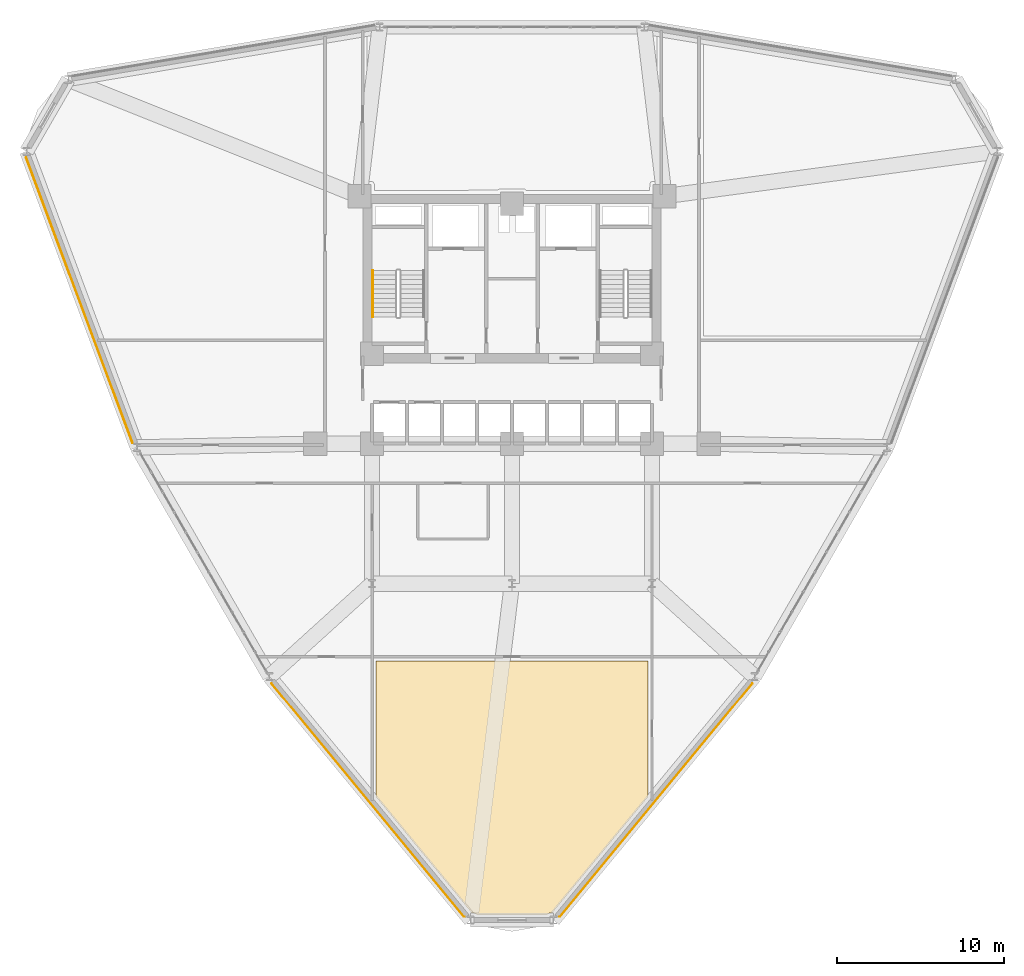
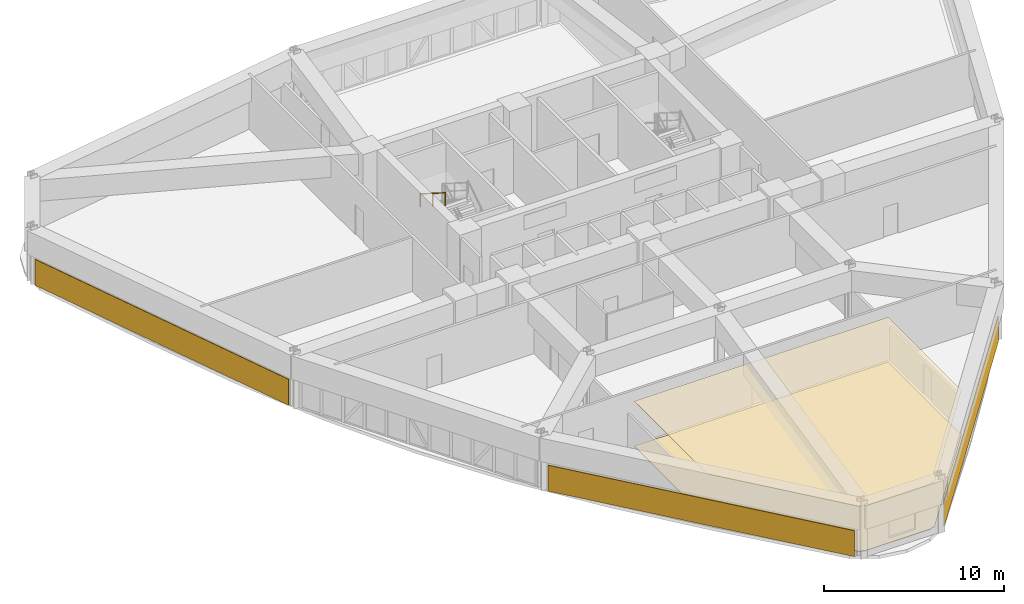
# One storey, part 18 of 20: 5 coverings, 1 railing.
"""IFC4 building model written with IfcOpenShell, lengths in metres."""

from ifc_helpers import new_model, si_unit, derived_unit, direction, frame, origin, origin_2d, place, context, subcontext, project, spatial, polyline, circle, outline, extrude, material, layer, layer_set, type_object, element, save


model = new_model("IFC4")

# Units and contexts
model_context = context("Model", 3, precision=1e-05, world=origin(), true_north=direction((0.0, 1.0)))
body_context = subcontext(model_context, "Body", "Model", "MODEL_VIEW")
ifc_project = project(units=[si_unit("LENGTHUNIT", "METRE"), si_unit("AREAUNIT", "SQUARE_METRE"), si_unit("VOLUMEUNIT", "CUBIC_METRE"), si_unit("PLANEANGLEUNIT", "RADIAN"), si_unit("MASSUNIT", "GRAM", prefix="KILO"), derived_unit("THERMALTRANSMITTANCEUNIT", [(si_unit("POWERUNIT", "WATT"), 1), (si_unit("LENGTHUNIT", "METRE"), -2), (si_unit("THERMODYNAMICTEMPERATUREUNIT", "KELVIN"), -1)])], contexts=[model_context])

# Site, building, storey
site_placement = place(None, origin())
site = spatial("IfcSite", under=ifc_project, at=site_placement, CompositionType="ELEMENT")
building_placement = place(site_placement, origin())
building = spatial("IfcBuilding", under=site, at=building_placement, Name="Korsvarv Bourse and Concert Hall", CompositionType="ELEMENT")
storey_placement = place(building_placement, frame((0.0, 0.0, 39.60009765625)))
storey = spatial("IfcBuildingStorey", under=building, at=storey_placement, Name="L09", CompositionType="ELEMENT", Elevation=39.60009765625)

# Coverings
ifc_material_1 = material(Name="Perforated mineral-wool and birch acoustic baffle ceiling", Category="wood")
ifc_layer_1 = layer(ifc_material_1, 0.02490234375)
ifc_layer_set_1 = layer_set([ifc_layer_1], Name="Perforated mineral-wool and birch acoustic baffle ceiling")
covering_type_1 = type_object("IfcCoveringType", Name="COV-CEIL-1", PredefinedType="CEILING", material=ifc_layer_set_1)
covering_1_placement = place(storey_placement, frame((0.0, 0.0, 3.059814453125)))
element("IfcCovering", 1, at=covering_1_placement, inside=storey, type_object=covering_type_1, Name="L09 acoustic baffle ceiling 2", PredefinedType="CEILING", context=body_context, shape_type="SweptSolid", body=[
    extrude(outline(polyline([(33.87060546875, 4.1513671875), (33.846923828125, 4.176025390625), (33.819091796875, 4.19580078125), (33.787841796875, 4.210205078125), (33.75439453125, 4.218017578125), (33.5986328125, 4.22607421875), (27.85009765625, 11.188232421875), (27.85009765625, 19.35009765625), (44.14990234375, 19.35009765625), (44.14990234375, 11.188232421875), (38.404541015625, 4.22998046875), (38.28076171875, 4.22998046875), (38.24609375, 4.2265625), (38.212646484375, 4.216552734375), (38.181884765625, 4.2001953125), (38.154541015625, 4.17822265625), (38.132080078125, 4.151611328125), (33.87060546875, 4.1513671875)])), origin(), (0.0, 0.0, 1.0), 0.025146484375),
])
ifc_material_2 = material(Name="Warm iron-oxide extruded terracotta rainscreen tile", Category="ceramic")
ifc_layer_2 = layer(ifc_material_2, 0.044921875)
ifc_layer_set_2 = layer_set([ifc_layer_2], Name="Warm iron-oxide extruded terracotta rainscreen tile")
covering_type_2 = type_object("IfcCoveringType", Name="COV-CLD-TC", PredefinedType="CLADDING", material=ifc_layer_set_2)
covering_2_placement = place(storey_placement, origin())
element("IfcCovering", 2, at=covering_2_placement, inside=storey, type_object=covering_type_2, Name="L09 fluted terracotta cladding panel EW-L09-B06", PredefinedType="CLADDING", context=body_context, shape_type="SweptSolid", body=[
    extrude(outline(polyline([(6.86181640625, 49.57568359375), (13.25048828125, 32.4462890625), (13.208251953125, 32.430419921875), (6.819580078125, 49.559814453125), (6.86181640625, 49.57568359375)])), origin(), (0.0, 0.0, 1.0), 1.760009765625),
])
covering_3_placement = place(storey_placement, origin())
element("IfcCovering", 3, at=covering_3_placement, inside=storey, type_object=covering_type_2, Name="L09 fluted terracotta cladding panel EW-L09-B08", PredefinedType="CLADDING", context=body_context, shape_type="SweptSolid", body=[
    extrude(outline(polyline([(21.5830078125, 18.032470703125), (33.15234375, 4.0205078125), (33.11767578125, 3.991943359375), (21.548095703125, 18.003662109375), (21.5830078125, 18.032470703125)])), origin(), (0.0, 0.0, 1.0), 1.760009765625),
])
covering_4_placement = place(storey_placement, origin())
element("IfcCovering", 4, at=covering_4_placement, inside=storey, type_object=covering_type_2, Name="L09 fluted terracotta cladding panel EW-L09-B10", PredefinedType="CLADDING", context=body_context, shape_type="SweptSolid", body=[
    extrude(outline(polyline([(38.84765625, 4.0205078125), (50.4169921875, 18.032470703125), (50.451904296875, 18.003662109375), (38.88232421875, 3.991943359375), (38.84765625, 4.0205078125)])), origin(), (0.0, 0.0, 1.0), 1.760009765625),
])
ifc_material_3 = material(Name="Calcium-sulphate raised access trading floor with Nordic oak top", Category="wood")
ifc_layer_3 = layer(ifc_material_3, 0.0400390625)
ifc_layer_set_3 = layer_set([ifc_layer_3], Name="Calcium-sulphate raised access trading floor with Nordic oak top")
covering_type_3 = type_object("IfcCoveringType", Name="COV-FLOR-1", PredefinedType="FLOORING", material=ifc_layer_set_3)
covering_5_placement = place(storey_placement, origin())
element("IfcCovering", 5, at=covering_5_placement, inside=storey, type_object=covering_type_3, Name="L09 raised access oak floor finish 2", PredefinedType="FLOORING", context=body_context, shape_type="SweptSolid", body=[
    extrude(outline(polyline([(33.87060546875, 4.1513671875), (33.846923828125, 4.176025390625), (33.819091796875, 4.19580078125), (33.787841796875, 4.210205078125), (33.75439453125, 4.218017578125), (33.5986328125, 4.22607421875), (27.85009765625, 11.188232421875), (27.85009765625, 19.35009765625), (44.14990234375, 19.35009765625), (44.14990234375, 11.188232421875), (38.404541015625, 4.22998046875), (38.28076171875, 4.22998046875), (38.24609375, 4.2265625), (38.212646484375, 4.216552734375), (38.181884765625, 4.2001953125), (38.154541015625, 4.17822265625), (38.132080078125, 4.151611328125), (33.87060546875, 4.1513671875)])), origin(), (0.0, 0.0, 1.0), 0.039794921875),
])

# Railing
ifc_material_4 = material(Name="Brushed stainless Steel S355 tubular handrail", Category="steel")
railing_type = type_object("IfcRailingType", Name="RL-ST-HND", PredefinedType="HANDRAIL", material=ifc_material_4)
railing_placement = place(storey_placement, frame((27.64990234375, 42.800048828125, 2.127197265625)))
element("IfcRailing", 6, at=railing_placement, inside=storey, type_object=railing_type, Name="L09 ST-T1 stair handrail 2", PredefinedType="HANDRAIL", context=body_context, shape_type="SweptSolid", body=[
    extrude(circle(Radius=0.02392578125, at=origin_2d()), frame((0.0, 0.0, 0.8759765625), z_axis=(0.0, -0.844908973607, 0.534910110503), x_axis=(1.0, 0.0, 0.0)), (0.0, 0.0, 1.0), 3.31396484375),
    extrude(circle(Radius=0.02099609375, at=origin_2d()), origin(), (0.0, 0.0, 1.0), 0.851806640625),
    extrude(circle(Radius=0.02099609375, at=origin_2d()), frame((0.0, -1.39990234375, 0.88623046875)), (0.0, 0.0, 1.0), 0.851806640625),
    extrude(circle(Radius=0.02099609375, at=origin_2d()), frame((0.0, -2.800048828125, 1.772705078125)), (0.0, 0.0, 1.0), 0.851806640625),
])

save(model, "model.ifc")
